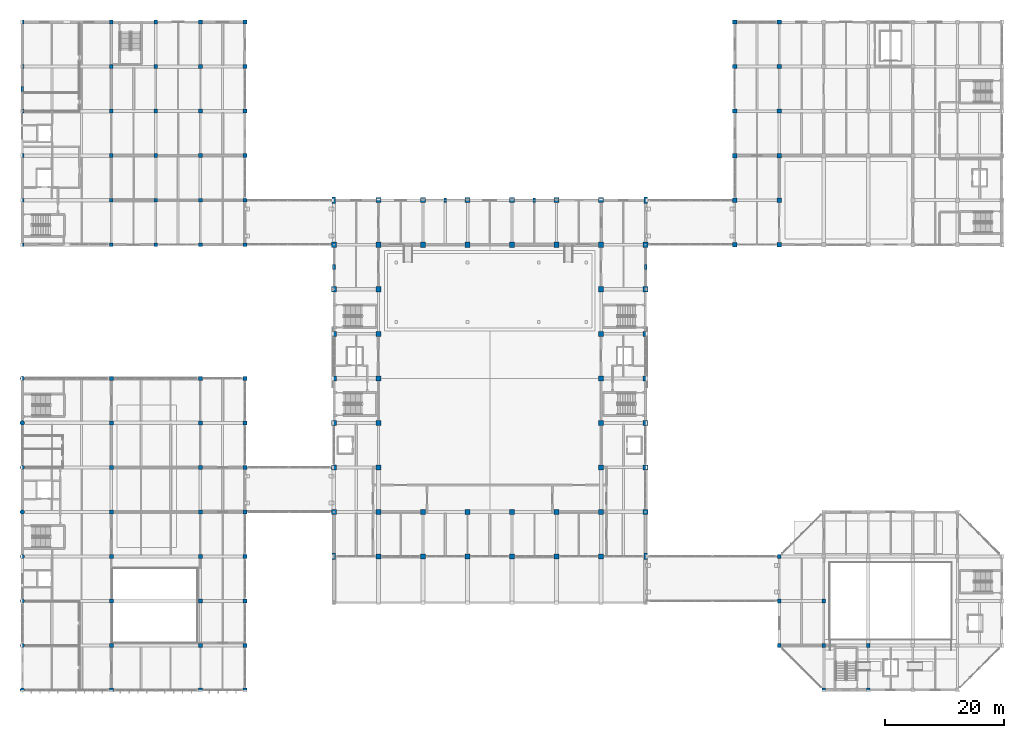
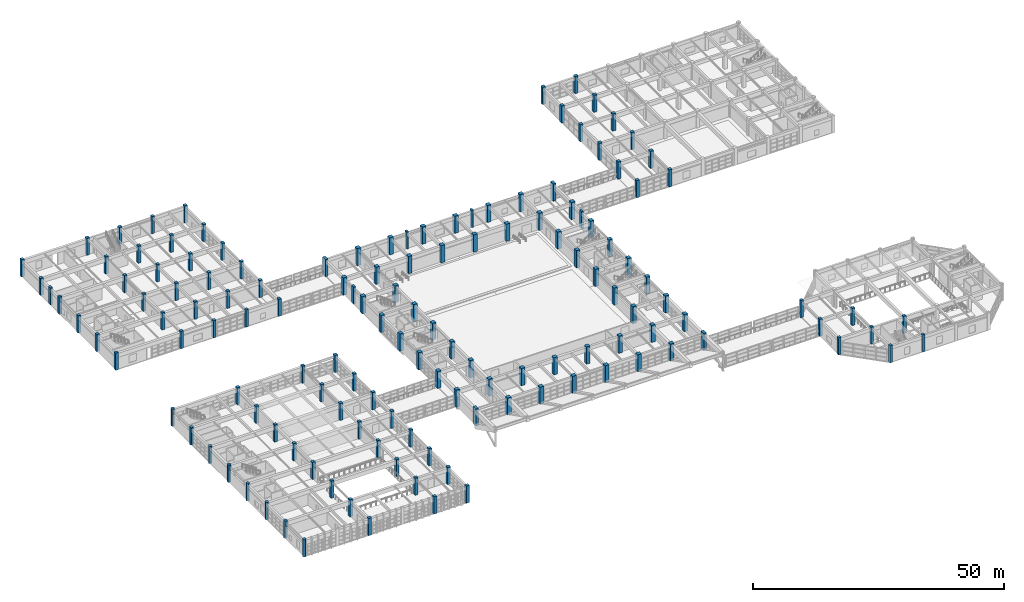
# One storey, part 1 of 132: 139 columns.
"""IFC4 building model written with IfcOpenShell, lengths in metres."""

from ifc_helpers import new_model, si_unit, direction, frame, origin, origin_2d, place, context, subcontext, project, spatial, rectangle, circle, extrude, material, material_profile, profile_set, type_object, element, save


model = new_model("IFC4")

# Units and contexts
model_context = context("Model", 3, precision=1e-05, world=origin(), true_north=direction((0.0, 1.0)))
body_context = subcontext(model_context, "Body", "Model", "MODEL_VIEW")
ifc_project = project(units=[si_unit("LENGTHUNIT", "METRE"), si_unit("AREAUNIT", "SQUARE_METRE"), si_unit("VOLUMEUNIT", "CUBIC_METRE"), si_unit("PLANEANGLEUNIT", "RADIAN"), si_unit("MASSUNIT", "GRAM", prefix="KILO")], contexts=[model_context])

# Site, building, storey
site_placement = place(None, origin())
site = spatial("IfcSite", under=ifc_project, at=site_placement, CompositionType="ELEMENT")
building_placement = place(site_placement, origin())
building = spatial("IfcBuilding", under=site, at=building_placement, Name="Qasida Concert Hall", CompositionType="ELEMENT")
storey_placement = place(building_placement, frame((0.0, 0.0, 4.800048828125)))
storey = spatial("IfcBuildingStorey", under=building, at=storey_placement, Name="L01", CompositionType="ELEMENT", Elevation=4.800048828125)

# Columns
ifc_material = material(Name="Concrete C50/60", Category="concrete")
ifc_material_profile_1 = material_profile(ifc_material, rectangle(XDim=0.699951171875, YDim=0.699951171875, at=origin_2d()), Name="RC 700x700")
ifc_profile_set_1 = profile_set([ifc_material_profile_1], Name="Concrete C50/60")
column_type_1 = type_object("IfcColumnType", Name="COL-C-105", PredefinedType="COLUMN", material=ifc_profile_set_1)
for number, where, z_axis, x_axis, name in (
    (1, (120.0, 75.0, 0.0), (0.0, 0.0, 1.0), (1.0, 0.0, 0.0), "L01 column C-105 (V4)"),
    (2, (120.0, 82.5, 0.0), (0.0, 0.0, 1.0), (1.0, 0.0, 0.0), "L01 column C-105 (V4)"),
    (3, (120.0, 90.0, 0.0), (0.0, 0.0, 1.0), (1.0, 0.0, 0.0), "L01 column C-105 (V4)"),
    (4, (120.0, 97.5, 0.0), (0.0, 0.0, 1.0), (1.0, 0.0, 0.0), "L01 column C-105 (V4)"),
    (5, (120.0, 105.0, 0.0), (0.0, 0.0, 1.0), (1.0, 0.0, 0.0), "L01 column C-105 (V4)"),
    (6, (120.0, 112.5, 0.0), (0.0, 0.0, 1.0), (1.0, 0.0, 0.0), "L01 column C-105 (V4)"),
    (7, (127.5, 75.0, 0.0), (0.0, 0.0, 1.0), (1.0, 0.0, 0.0), "L01 column C-105 (V4)"),
    (8, (127.5, 82.5, 0.0), (0.0, 0.0, 1.0), (1.0, 0.0, 0.0), "L01 column C-105 (V4)"),
    (9, (127.5, 90.0, 0.0), (0.0, 0.0, 1.0), (1.0, 0.0, 0.0), "L01 column C-105 (V4)"),
    (10, (127.5, 97.5, 0.0), (0.0, 0.0, 1.0), (1.0, 0.0, 0.0), "L01 column C-105 (V4)"),
    (11, (127.5, 105.0, 0.0), (0.0, 0.0, 1.0), (1.0, 0.0, 0.0), "L01 column C-105 (V4)"),
    (12, (127.5, 112.5, 0.0), (0.0, 0.0, 1.0), (1.0, 0.0, 0.0), "L01 column C-105 (V4)"),
):
    element("IfcColumn", number, at=place(storey_placement, frame(where, z_axis=z_axis, x_axis=x_axis)), inside=storey, type_object=column_type_1, Name=name, PredefinedType="COLUMN", context=body_context, shape_type="SweptSolid", body=[
        extrude(rectangle(XDim=0.699951171875, YDim=0.699951171875, at=origin_2d()), origin(), (0.0, 0.0, 1.0), 4.199951171875),
    ])
ifc_material_profile_2 = material_profile(ifc_material, rectangle(XDim=0.64990234375, YDim=0.64990234375, at=origin_2d()), Name="RC 650x650")
ifc_profile_set_2 = profile_set([ifc_material_profile_2], Name="Concrete C50/60")
column_type_2 = type_object("IfcColumnType", Name="COL-C-106", PredefinedType="COLUMN", material=ifc_profile_set_2)
for number, where, z_axis, x_axis, name in (
    (13, (0.0, 75.0, 0.0), (0.0, 0.0, 1.0), (1.0, 0.0, 0.0), "L01 column C-106 (V5)"),
    (14, (0.0, 82.5, 0.0), (0.0, 0.0, 1.0), (1.0, 0.0, 0.0), "L01 column C-106 (V5)"),
    (15, (0.0, 90.0, 0.0), (0.0, 0.0, 1.0), (1.0, 0.0, 0.0), "L01 column C-106 (V5)"),
    (16, (0.0, 97.5, 0.0), (0.0, 0.0, 1.0), (1.0, 0.0, 0.0), "L01 column C-106 (V5)"),
    (17, (0.0, 105.0, 0.0), (0.0, 0.0, 1.0), (1.0, 0.0, 0.0), "L01 column C-106 (V5)"),
    (18, (0.0, 112.5, 0.0), (0.0, 0.0, 1.0), (1.0, 0.0, 0.0), "L01 column C-106 (V5)"),
    (19, (15.0, 75.0, 0.0), (0.0, 0.0, 1.0), (1.0, 0.0, 0.0), "L01 column C-106 (V5)"),
    (20, (15.0, 82.5, 0.0), (0.0, 0.0, 1.0), (1.0, 0.0, 0.0), "L01 column C-106 (V5)"),
    (21, (15.0, 90.0, 0.0), (0.0, 0.0, 1.0), (1.0, 0.0, 0.0), "L01 column C-106 (V5)"),
    (22, (15.0, 97.5, 0.0), (0.0, 0.0, 1.0), (1.0, 0.0, 0.0), "L01 column C-106 (V5)"),
    (23, (15.0, 105.0, 0.0), (0.0, 0.0, 1.0), (1.0, 0.0, 0.0), "L01 column C-106 (V5)"),
    (24, (15.0, 112.5, 0.0), (0.0, 0.0, 1.0), (1.0, 0.0, 0.0), "L01 column C-106 (V5)"),
    (25, (22.5, 75.0, 0.0), (0.0, 0.0, 1.0), (1.0, 0.0, 0.0), "L01 column C-106 (V5)"),
    (26, (22.5, 82.5, 0.0), (0.0, 0.0, 1.0), (1.0, 0.0, 0.0), "L01 column C-106 (V5)"),
    (27, (22.5, 90.0, 0.0), (0.0, 0.0, 1.0), (1.0, 0.0, 0.0), "L01 column C-106 (V5)"),
    (28, (22.5, 97.5, 0.0), (0.0, 0.0, 1.0), (1.0, 0.0, 0.0), "L01 column C-106 (V5)"),
    (29, (22.5, 105.0, 0.0), (0.0, 0.0, 1.0), (1.0, 0.0, 0.0), "L01 column C-106 (V5)"),
    (30, (22.5, 112.5, 0.0), (0.0, 0.0, 1.0), (1.0, 0.0, 0.0), "L01 column C-106 (V5)"),
    (31, (30.0, 75.0, 0.0), (0.0, 0.0, 1.0), (1.0, 0.0, 0.0), "L01 column C-106 (V5)"),
    (32, (30.0, 82.5, 0.0), (0.0, 0.0, 1.0), (1.0, 0.0, 0.0), "L01 column C-106 (V5)"),
    (33, (30.0, 90.0, 0.0), (0.0, 0.0, 1.0), (1.0, 0.0, 0.0), "L01 column C-106 (V5)"),
    (34, (30.0, 97.5, 0.0), (0.0, 0.0, 1.0), (1.0, 0.0, 0.0), "L01 column C-106 (V5)"),
    (35, (30.0, 105.0, 0.0), (0.0, 0.0, 1.0), (1.0, 0.0, 0.0), "L01 column C-106 (V5)"),
    (36, (30.0, 112.5, 0.0), (0.0, 0.0, 1.0), (1.0, 0.0, 0.0), "L01 column C-106 (V5)"),
    (37, (37.5, 75.0, 0.0), (0.0, 0.0, 1.0), (1.0, 0.0, 0.0), "L01 column C-106 (V5)"),
    (38, (37.5, 82.5, 0.0), (0.0, 0.0, 1.0), (1.0, 0.0, 0.0), "L01 column C-106 (V5)"),
    (39, (37.5, 90.0, 0.0), (0.0, 0.0, 1.0), (1.0, 0.0, 0.0), "L01 column C-106 (V5)"),
    (40, (37.5, 97.5, 0.0), (0.0, 0.0, 1.0), (1.0, 0.0, 0.0), "L01 column C-106 (V5)"),
    (41, (37.5, 105.0, 0.0), (0.0, 0.0, 1.0), (1.0, 0.0, 0.0), "L01 column C-106 (V5)"),
    (42, (37.5, 112.5, 0.0), (0.0, 0.0, 1.0), (1.0, 0.0, 0.0), "L01 column C-106 (V5)"),
):
    element("IfcColumn", number, at=place(storey_placement, frame(where, z_axis=z_axis, x_axis=x_axis)), inside=storey, type_object=column_type_2, Name=name, PredefinedType="COLUMN", context=body_context, shape_type="SweptSolid", body=[
        extrude(rectangle(XDim=0.64990234375, YDim=0.64990234375, at=origin_2d()), origin(), (0.0, 0.0, 1.0), 4.199951171875),
    ])
ifc_material_profile_3 = material_profile(ifc_material, rectangle(XDim=0.60009765625, YDim=1.10009765625, at=origin_2d()), Name="RC 600x1100")
ifc_profile_set_3 = profile_set([ifc_material_profile_3], Name="Concrete C50/60")
column_type_3 = type_object("IfcColumnType", Name="COL-C-112", PredefinedType="COLUMN", material=ifc_profile_set_3)
for number, where, z_axis, x_axis, name in (
    (43, (52.5, 22.5, 0.0), (0.0, 0.0, 1.0), (1.0, 0.0, 0.0), "L01 column C-112 (V1)"),
    (44, (52.5, 82.5, 0.0), (0.0, 0.0, 1.0), (1.0, 0.0, 0.0), "L01 column C-112 (V1)"),
    (45, (105.0, 22.5, 0.0), (0.0, 0.0, 1.0), (1.0, 0.0, 0.0), "L01 column C-112 (V1)"),
    (46, (105.0, 82.5, 0.0), (0.0, 0.0, 1.0), (1.0, 0.0, 0.0), "L01 column C-112 (V1)"),
):
    element("IfcColumn", number, at=place(storey_placement, frame(where, z_axis=z_axis, x_axis=x_axis)), inside=storey, type_object=column_type_3, Name=name, PredefinedType="COLUMN", context=body_context, shape_type="SweptSolid", body=[
        extrude(rectangle(XDim=0.60009765625, YDim=1.10009765625, at=origin_2d()), origin(), (0.0, 0.0, 1.0), 4.199951171875),
    ])
ifc_material_profile_4 = material_profile(ifc_material, circle(Radius=0.375, at=origin_2d()), Name="RC COL D750")
ifc_profile_set_4 = profile_set([ifc_material_profile_4], Name="Concrete C50/60")
column_type_4 = type_object("IfcColumnType", Name="COL-C-115", PredefinedType="COLUMN", material=ifc_profile_set_4)
for number, where, z_axis, x_axis, name in (
    (47, (0.0, 0.0, 0.0), (0.0, 0.0, 1.0), (1.0, 0.0, 0.0), "L01 column C-115 (V3)"),
    (48, (0.0, 7.5, 0.0), (0.0, 0.0, 1.0), (1.0, 0.0, 0.0), "L01 column C-115 (V3)"),
    (49, (0.0, 15.0, 0.0), (0.0, 0.0, 1.0), (1.0, 0.0, 0.0), "L01 column C-115 (V3)"),
    (50, (0.0, 22.5, 0.0), (0.0, 0.0, 1.0), (1.0, 0.0, 0.0), "L01 column C-115 (V3)"),
    (51, (0.0, 30.0, 0.0), (0.0, 0.0, 1.0), (1.0, 0.0, 0.0), "L01 column C-115 (V3)"),
    (52, (0.0, 37.5, 0.0), (0.0, 0.0, 1.0), (1.0, 0.0, 0.0), "L01 column C-115 (V3)"),
    (53, (0.0, 45.0, 0.0), (0.0, 0.0, 1.0), (1.0, 0.0, 0.0), "L01 column C-115 (V3)"),
    (54, (0.0, 52.5, 0.0), (0.0, 0.0, 1.0), (1.0, 0.0, 0.0), "L01 column C-115 (V3)"),
):
    element("IfcColumn", number, at=place(storey_placement, frame(where, z_axis=z_axis, x_axis=x_axis)), inside=storey, type_object=column_type_4, Name=name, PredefinedType="COLUMN", context=body_context, shape_type="SweptSolid", body=[
        extrude(circle(Radius=0.375, at=origin_2d()), origin(), (0.0, 0.0, 1.0), 4.199951171875),
    ])
ifc_material_profile_5 = material_profile(ifc_material, rectangle(XDim=0.85009765625, YDim=0.85009765625, at=origin_2d()), Name="RC 850x850")
ifc_profile_set_5 = profile_set([ifc_material_profile_5], Name="Concrete C50/60")
column_type_5 = type_object("IfcColumnType", Name="COL-C-118", PredefinedType="COLUMN", material=ifc_profile_set_5)
for number, where, z_axis, x_axis, name in (
    (55, (52.5, 30.0, 0.0), (0.0, 0.0, 1.0), (1.0, 0.0, 0.0), "L01 column C-118 (V1)"),
    (56, (52.5, 37.5, 0.0), (0.0, 0.0, 1.0), (1.0, 0.0, 0.0), "L01 column C-118 (V1)"),
    (57, (52.5, 45.0, 0.0), (0.0, 0.0, 1.0), (1.0, 0.0, 0.0), "L01 column C-118 (V1)"),
    (58, (52.5, 52.5, 0.0), (0.0, 0.0, 1.0), (1.0, 0.0, 0.0), "L01 column C-118 (V1)"),
    (59, (52.5, 60.0, 0.0), (0.0, 0.0, 1.0), (1.0, 0.0, 0.0), "L01 column C-118 (V1)"),
    (60, (52.5, 67.5, 0.0), (0.0, 0.0, 1.0), (1.0, 0.0, 0.0), "L01 column C-118 (V1)"),
    (61, (52.5, 75.0, 0.0), (0.0, 0.0, 1.0), (1.0, 0.0, 0.0), "L01 column C-118 (V1)"),
    (62, (60.0, 22.5, 0.0), (0.0, 0.0, 1.0), (1.0, 0.0, 0.0), "L01 column C-118 (V1)"),
    (63, (60.0, 30.0, 0.0), (0.0, 0.0, 1.0), (1.0, 0.0, 0.0), "L01 column C-118 (V1)"),
    (64, (60.0, 37.5, 0.0), (0.0, 0.0, 1.0), (1.0, 0.0, 0.0), "L01 column C-118 (V1)"),
    (65, (60.0, 45.0, 0.0), (0.0, 0.0, 1.0), (1.0, 0.0, 0.0), "L01 column C-118 (V1)"),
    (66, (60.0, 52.5, 0.0), (0.0, 0.0, 1.0), (1.0, 0.0, 0.0), "L01 column C-118 (V1)"),
    (67, (60.0, 60.0, 0.0), (0.0, 0.0, 1.0), (1.0, 0.0, 0.0), "L01 column C-118 (V1)"),
    (68, (60.0, 67.5, 0.0), (0.0, 0.0, 1.0), (1.0, 0.0, 0.0), "L01 column C-118 (V1)"),
    (69, (60.0, 75.0, 0.0), (0.0, 0.0, 1.0), (1.0, 0.0, 0.0), "L01 column C-118 (V1)"),
    (70, (60.0, 82.5, 0.0), (0.0, 0.0, 1.0), (1.0, 0.0, 0.0), "L01 column C-118 (V1)"),
    (71, (67.5, 22.5, 0.0), (0.0, 0.0, 1.0), (1.0, 0.0, 0.0), "L01 column C-118 (V1)"),
    (72, (67.5, 30.0, 0.0), (0.0, 0.0, 1.0), (1.0, 0.0, 0.0), "L01 column C-118 (V1)"),
    (73, (67.5, 75.0, 0.0), (0.0, 0.0, 1.0), (1.0, 0.0, 0.0), "L01 column C-118 (V1)"),
    (74, (67.5, 82.5, 0.0), (0.0, 0.0, 1.0), (1.0, 0.0, 0.0), "L01 column C-118 (V1)"),
    (75, (75.0, 22.5, 0.0), (0.0, 0.0, 1.0), (1.0, 0.0, 0.0), "L01 column C-118 (V1)"),
    (76, (75.0, 30.0, 0.0), (0.0, 0.0, 1.0), (1.0, 0.0, 0.0), "L01 column C-118 (V1)"),
    (77, (75.0, 75.0, 0.0), (0.0, 0.0, 1.0), (1.0, 0.0, 0.0), "L01 column C-118 (V1)"),
    (78, (75.0, 82.5, 0.0), (0.0, 0.0, 1.0), (1.0, 0.0, 0.0), "L01 column C-118 (V1)"),
    (79, (82.5, 22.5, 0.0), (0.0, 0.0, 1.0), (1.0, 0.0, 0.0), "L01 column C-118 (V1)"),
    (80, (82.5, 30.0, 0.0), (0.0, 0.0, 1.0), (1.0, 0.0, 0.0), "L01 column C-118 (V1)"),
    (81, (82.5, 75.0, 0.0), (0.0, 0.0, 1.0), (1.0, 0.0, 0.0), "L01 column C-118 (V1)"),
    (82, (82.5, 82.5, 0.0), (0.0, 0.0, 1.0), (1.0, 0.0, 0.0), "L01 column C-118 (V1)"),
    (83, (90.0, 22.5, 0.0), (0.0, 0.0, 1.0), (1.0, 0.0, 0.0), "L01 column C-118 (V1)"),
    (84, (90.0, 30.0, 0.0), (0.0, 0.0, 1.0), (1.0, 0.0, 0.0), "L01 column C-118 (V1)"),
    (85, (90.0, 75.0, 0.0), (0.0, 0.0, 1.0), (1.0, 0.0, 0.0), "L01 column C-118 (V1)"),
    (86, (90.0, 82.5, 0.0), (0.0, 0.0, 1.0), (1.0, 0.0, 0.0), "L01 column C-118 (V1)"),
    (87, (97.5, 22.5, 0.0), (0.0, 0.0, 1.0), (1.0, 0.0, 0.0), "L01 column C-118 (V1)"),
    (88, (97.5, 30.0, 0.0), (0.0, 0.0, 1.0), (1.0, 0.0, 0.0), "L01 column C-118 (V1)"),
    (89, (97.5, 37.5, 0.0), (0.0, 0.0, 1.0), (1.0, 0.0, 0.0), "L01 column C-118 (V1)"),
    (90, (97.5, 45.0, 0.0), (0.0, 0.0, 1.0), (1.0, 0.0, 0.0), "L01 column C-118 (V1)"),
    (91, (97.5, 52.5, 0.0), (0.0, 0.0, 1.0), (1.0, 0.0, 0.0), "L01 column C-118 (V1)"),
    (92, (97.5, 60.0, 0.0), (0.0, 0.0, 1.0), (1.0, 0.0, 0.0), "L01 column C-118 (V1)"),
    (93, (97.5, 67.5, 0.0), (0.0, 0.0, 1.0), (1.0, 0.0, 0.0), "L01 column C-118 (V1)"),
    (94, (97.5, 75.0, 0.0), (0.0, 0.0, 1.0), (1.0, 0.0, 0.0), "L01 column C-118 (V1)"),
    (95, (97.5, 82.5, 0.0), (0.0, 0.0, 1.0), (1.0, 0.0, 0.0), "L01 column C-118 (V1)"),
    (96, (105.0, 30.0, 0.0), (0.0, 0.0, 1.0), (1.0, 0.0, 0.0), "L01 column C-118 (V1)"),
    (97, (105.0, 37.5, 0.0), (0.0, 0.0, 1.0), (1.0, 0.0, 0.0), "L01 column C-118 (V1)"),
    (98, (105.0, 45.0, 0.0), (0.0, 0.0, 1.0), (1.0, 0.0, 0.0), "L01 column C-118 (V1)"),
    (99, (105.0, 52.5, 0.0), (0.0, 0.0, 1.0), (1.0, 0.0, 0.0), "L01 column C-118 (V1)"),
    (100, (105.0, 60.0, 0.0), (0.0, 0.0, 1.0), (1.0, 0.0, 0.0), "L01 column C-118 (V1)"),
    (101, (105.0, 67.5, 0.0), (0.0, 0.0, 1.0), (1.0, 0.0, 0.0), "L01 column C-118 (V1)"),
    (102, (105.0, 75.0, 0.0), (0.0, 0.0, 1.0), (1.0, 0.0, 0.0), "L01 column C-118 (V1)"),
):
    element("IfcColumn", number, at=place(storey_placement, frame(where, z_axis=z_axis, x_axis=x_axis)), inside=storey, type_object=column_type_5, Name=name, PredefinedType="COLUMN", context=body_context, shape_type="SweptSolid", body=[
        extrude(rectangle(XDim=0.85009765625, YDim=0.85009765625, at=origin_2d()), origin(), (0.0, 0.0, 1.0), 4.199951171875),
    ])
ifc_material_profile_6 = material_profile(ifc_material, rectangle(XDim=0.679931640625, YDim=0.679931640625, at=origin_2d()), Name="RC 680x680")
ifc_profile_set_6 = profile_set([ifc_material_profile_6], Name="Concrete C50/60")
column_type_6 = type_object("IfcColumnType", Name="COL-C-120", PredefinedType="COLUMN", material=ifc_profile_set_6)
for number, where, z_axis, x_axis, name in (
    (103, (15.0, 0.0, 0.0), (0.0, 0.0, 1.0), (1.0, 0.0, 0.0), "L01 column C-120 (V3)"),
    (104, (15.0, 7.5, 0.0), (0.0, 0.0, 1.0), (1.0, 0.0, 0.0), "L01 column C-120 (V3)"),
    (105, (15.0, 15.0, 0.0), (0.0, 0.0, 1.0), (1.0, 0.0, 0.0), "L01 column C-120 (V3)"),
    (106, (15.0, 22.5, 0.0), (0.0, 0.0, 1.0), (1.0, 0.0, 0.0), "L01 column C-120 (V3)"),
    (107, (15.0, 30.0, 0.0), (0.0, 0.0, 1.0), (1.0, 0.0, 0.0), "L01 column C-120 (V3)"),
    (108, (15.0, 37.5, 0.0), (0.0, 0.0, 1.0), (1.0, 0.0, 0.0), "L01 column C-120 (V3)"),
    (109, (15.0, 45.0, 0.0), (0.0, 0.0, 1.0), (1.0, 0.0, 0.0), "L01 column C-120 (V3)"),
    (110, (15.0, 52.5, 0.0), (0.0, 0.0, 1.0), (1.0, 0.0, 0.0), "L01 column C-120 (V3)"),
    (111, (30.0, 0.0, 0.0), (0.0, 0.0, 1.0), (1.0, 0.0, 0.0), "L01 column C-120 (V3)"),
    (112, (30.0, 7.5, 0.0), (0.0, 0.0, 1.0), (1.0, 0.0, 0.0), "L01 column C-120 (V3)"),
    (113, (30.0, 15.0, 0.0), (0.0, 0.0, 1.0), (1.0, 0.0, 0.0), "L01 column C-120 (V3)"),
    (114, (30.0, 22.5, 0.0), (0.0, 0.0, 1.0), (1.0, 0.0, 0.0), "L01 column C-120 (V3)"),
    (115, (30.0, 30.0, 0.0), (0.0, 0.0, 1.0), (1.0, 0.0, 0.0), "L01 column C-120 (V3)"),
    (116, (30.0, 37.5, 0.0), (0.0, 0.0, 1.0), (1.0, 0.0, 0.0), "L01 column C-120 (V3)"),
    (117, (30.0, 45.0, 0.0), (0.0, 0.0, 1.0), (1.0, 0.0, 0.0), "L01 column C-120 (V3)"),
    (118, (30.0, 52.5, 0.0), (0.0, 0.0, 1.0), (1.0, 0.0, 0.0), "L01 column C-120 (V3)"),
    (119, (37.5, 0.0, 0.0), (0.0, 0.0, 1.0), (1.0, 0.0, 0.0), "L01 column C-120 (V3)"),
    (120, (37.5, 7.5, 0.0), (0.0, 0.0, 1.0), (1.0, 0.0, 0.0), "L01 column C-120 (V3)"),
    (121, (37.5, 15.0, 0.0), (0.0, 0.0, 1.0), (1.0, 0.0, 0.0), "L01 column C-120 (V3)"),
    (122, (37.5, 22.5, 0.0), (0.0, 0.0, 1.0), (1.0, 0.0, 0.0), "L01 column C-120 (V3)"),
    (123, (37.5, 30.0, 0.0), (0.0, 0.0, 1.0), (1.0, 0.0, 0.0), "L01 column C-120 (V3)"),
    (124, (37.5, 37.5, 0.0), (0.0, 0.0, 1.0), (1.0, 0.0, 0.0), "L01 column C-120 (V3)"),
    (125, (37.5, 45.0, 0.0), (0.0, 0.0, 1.0), (1.0, 0.0, 0.0), "L01 column C-120 (V3)"),
    (126, (37.5, 52.5, 0.0), (0.0, 0.0, 1.0), (1.0, 0.0, 0.0), "L01 column C-120 (V3)"),
):
    element("IfcColumn", number, at=place(storey_placement, frame(where, z_axis=z_axis, x_axis=x_axis)), inside=storey, type_object=column_type_6, Name=name, PredefinedType="COLUMN", context=body_context, shape_type="SweptSolid", body=[
        extrude(rectangle(XDim=0.679931640625, YDim=0.679931640625, at=origin_2d()), origin(), (0.0, 0.0, 1.0), 4.199951171875),
    ])
ifc_material_profile_7 = material_profile(ifc_material, rectangle(XDim=0.6201171875, YDim=0.6201171875, at=origin_2d()), Name="RC 620x620")
ifc_profile_set_7 = profile_set([ifc_material_profile_7], Name="Concrete C50/60")
column_type_7 = type_object("IfcColumnType", Name="COL-C-121", PredefinedType="COLUMN", material=ifc_profile_set_7)
for number, where, z_axis, x_axis, name in (
    (127, (127.5, 7.5, 0.0), (0.0, 0.0, 1.0), (1.0, 0.0, 0.0), "L01 column C-121 (V2)"),
    (128, (127.5, 15.0, 0.0), (0.0, 0.0, 1.0), (1.0, 0.0, 0.0), "L01 column C-121 (V2)"),
    (129, (127.5, 22.5, 0.0), (0.0, 0.0, 1.0), (1.0, 0.0, 0.0), "L01 column C-121 (V2)"),
    (130, (135.0, 0.0, 0.0), (0.0, 0.0, 1.0), (1.0, 0.0, 0.0), "L01 column C-121 (V2)"),
    (131, (135.0, 7.5, 0.0), (0.0, 0.0, 1.0), (1.0, 0.0, 0.0), "L01 column C-121 (V2)"),
    (132, (135.0, 15.0, 0.0), (0.0, 0.0, 1.0), (1.0, 0.0, 0.0), "L01 column C-121 (V2)"),
    (133, (142.5, 0.0, 0.0), (0.0, 0.0, 1.0), (1.0, 0.0, 0.0), "L01 column C-121 (V2)"),
    (134, (142.5, 7.5, 0.0), (0.0, 0.0, 1.0), (1.0, 0.0, 0.0), "L01 column C-121 (V2)"),
):
    element("IfcColumn", number, at=place(storey_placement, frame(where, z_axis=z_axis, x_axis=x_axis)), inside=storey, type_object=column_type_7, Name=name, PredefinedType="COLUMN", context=body_context, shape_type="SweptSolid", body=[
        extrude(rectangle(XDim=0.6201171875, YDim=0.6201171875, at=origin_2d()), origin(), (0.0, 0.0, 1.0), 4.199951171875),
    ])
ifc_material_profile_8 = material_profile(ifc_material, rectangle(XDim=0.449951171875, YDim=0.85009765625, at=origin_2d()), Name="RC 450x850")
ifc_profile_set_8 = profile_set([ifc_material_profile_8], Name="Concrete C50/60")
column_type_8 = type_object("IfcColumnType", Name="COL-PL-201", PredefinedType="PILASTER", material=ifc_profile_set_8)
for number, where, z_axis, x_axis, name in (
    (135, (0.0, 101.25, 0.0), (0.0, 0.0, 1.0), (1.0, 0.0, 0.0), "L01 Art Deco pilaster PL-201"),
    (136, (52.5, 71.25, 0.0), (0.0, 0.0, 1.0), (1.0, 0.0, 0.0), "L01 Art Deco pilaster PL-201"),
    (137, (105.0, 71.25, 0.0), (0.0, 0.0, 1.0), (1.0, 0.0, 0.0), "L01 Art Deco pilaster PL-201"),
):
    element("IfcColumn", number, at=place(storey_placement, frame(where, z_axis=z_axis, x_axis=x_axis)), inside=storey, type_object=column_type_8, Name=name, PredefinedType="PILASTER", context=body_context, shape_type="SweptSolid", body=[
        extrude(rectangle(XDim=0.449951171875, YDim=0.85009765625, at=origin_2d()), origin(), (0.0, 0.0, 1.0), 4.199951171875),
    ])
ifc_material_profile_9 = material_profile(ifc_material, rectangle(XDim=0.39990234375, YDim=0.699951171875, at=origin_2d()), Name="RC 400x700")
ifc_profile_set_9 = profile_set([ifc_material_profile_9], Name="Concrete C50/60")
column_type_9 = type_object("IfcColumnType", Name="COL-PL-202", PredefinedType="PILASTER", material=ifc_profile_set_9)
for number, where, z_axis, x_axis, name in (
    (138, (71.25, 82.5, 0.0), (0.0, 0.0, 1.0), (1.0, 0.0, 0.0), "L01 Art Deco pilaster PL-202"),
    (139, (86.25, 82.5, 0.0), (0.0, 0.0, 1.0), (1.0, 0.0, 0.0), "L01 Art Deco pilaster PL-202"),
):
    element("IfcColumn", number, at=place(storey_placement, frame(where, z_axis=z_axis, x_axis=x_axis)), inside=storey, type_object=column_type_9, Name=name, PredefinedType="PILASTER", context=body_context, shape_type="SweptSolid", body=[
        extrude(rectangle(XDim=0.39990234375, YDim=0.699951171875, at=origin_2d()), origin(), (0.0, 0.0, 1.0), 4.199951171875),
    ])

save(model, "model.ifc")
